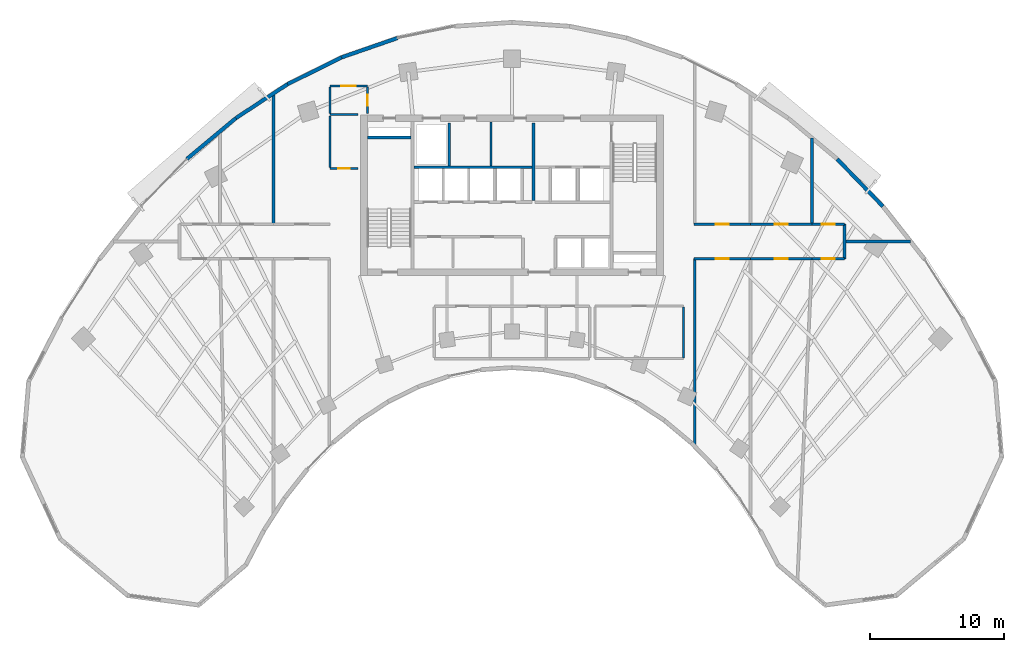
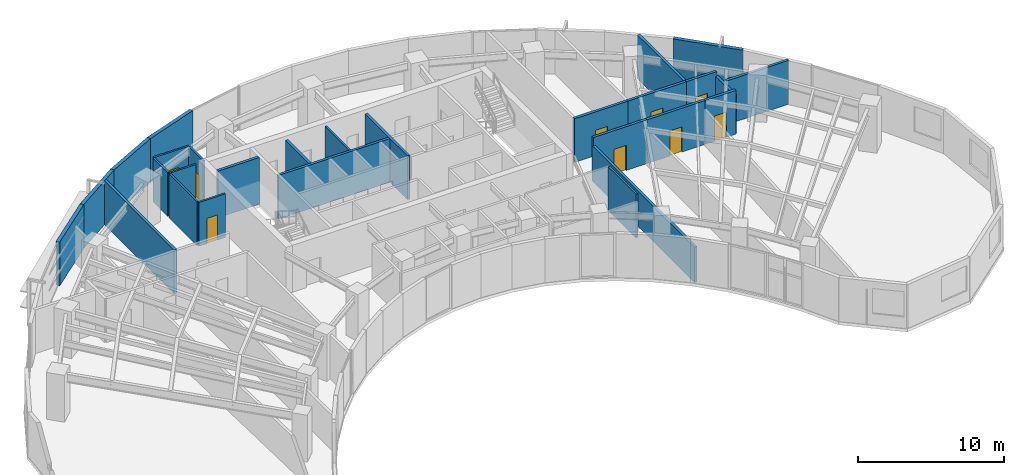
# One storey, part 10 of 14: 28 walls, 9 doors, 9 openings.
"""IFC4 building model written with IfcOpenShell, lengths in metres."""

from ifc_helpers import new_model, si_unit, direction, frame, frame_2d, origin, place, context, subcontext, project, spatial, rectangle, extrude, source, transform, mapped, material, layer, layer_set, type_object, type_shapes, element, fill, save


model = new_model("IFC4")

# Units and contexts
model_context = context("Model", 3, precision=1e-05, world=origin(), true_north=direction((0.0, 1.0)))
body_context = subcontext(model_context, "Body", "Model", "MODEL_VIEW")
ifc_project = project(units=[si_unit("LENGTHUNIT", "METRE"), si_unit("AREAUNIT", "SQUARE_METRE"), si_unit("VOLUMEUNIT", "CUBIC_METRE"), si_unit("PLANEANGLEUNIT", "RADIAN"), si_unit("MASSUNIT", "GRAM", prefix="KILO")], contexts=[model_context])

# Site, building, storey
site_placement = place(None, origin())
site = spatial("IfcSite", under=ifc_project, at=site_placement, CompositionType="ELEMENT")
building_placement = place(site_placement, origin())
building = spatial("IfcBuilding", under=site, at=building_placement, Name="Breltana Convention Tower", CompositionType="ELEMENT")
storey_placement = place(building_placement, frame((0.0, 0.0, 138.89990234375)))
storey = spatial("IfcBuildingStorey", under=building, at=storey_placement, Name="L33", CompositionType="ELEMENT", Elevation=138.89990234375)

# Walls
ifc_material_1 = material(Name="Concrete C50/60", Category="concrete")
ifc_layer_1 = layer(ifc_material_1, 0.39990234375, Name="Concrete C50/60")
ifc_layer_set_1 = layer_set([ifc_layer_1], Name="Concrete C50/60")
wall_type_1 = type_object("IfcWallType", Name="SW-CORE-400", PredefinedType="SHEAR", material=ifc_layer_set_1)
shared_shape_1 = source(origin(), body_context, "Body", "SweptSolid", [
    extrude(rectangle(XDim=3.27001953125, YDim=0.219970703125, at=frame_2d((1.635009765625, 0.0))), origin(), (0.0, 0.0, 1.0), 3.900146484375),
])
wall_1_placement = place(storey_placement, frame((37.199951171875, 70.510009765625, 0.0), z_axis=(0.0, 0.0, 1.0), x_axis=(1.0, 0.0, 0.0)))
element("IfcWall", 1, at=wall_1_placement, inside=storey, type_object=wall_type_1, Name="L33 ST-1 Stairwell North Bearing Wall", PredefinedType="SHEAR", context=body_context, shape_type="MappedRepresentation", body=[
    mapped(shared_shape_1, transform((0.0, 0.0, 0.0), scale=1.0)),
])
ifc_material_2 = material(Name="Limestone Buff Insulated Wall", Category="masonry")
ifc_layer_2 = layer(ifc_material_2, 0.280029296875, Name="Limestone Buff Insulated Wall")
ifc_layer_set_2 = layer_set([ifc_layer_2], Name="Limestone Buff Insulated Wall")
wall_type_2 = type_object("IfcWallType", Name="WL-EXT-NOSE-280", PredefinedType="SOLIDWALL", material=ifc_layer_set_2)
shared_shape_2 = source(origin(), body_context, "Body", "SweptSolid", [
    extrude(rectangle(XDim=4.908447265625, YDim=0.280029296875, at=frame_2d((2.4541015625, 0.0))), origin(), (0.0, 0.0, 1.0), 3.650146484375),
])
wall_2_placement = place(storey_placement, frame((72.275390625, 68.907470703125, 0.0), z_axis=(0.0, 0.0, 1.0), x_axis=(0.694613154328, -0.719383462302, 0.0)))
element("IfcWall", 2, at=wall_2_placement, inside=storey, type_object=wall_type_2, Name="L33 curved limestone nose wall E31", PredefinedType="SOLIDWALL", context=body_context, shape_type="MappedRepresentation", body=[
    mapped(shared_shape_2, transform((0.0, 0.0, 0.0), scale=1.0)),
])
shared_shape_3 = source(origin(), body_context, "Body", "SweptSolid", [
    extrude(rectangle(XDim=4.76220703125, YDim=0.280029296875, at=frame_2d((2.381103515625, 0.0))), origin(), (0.0, 0.0, 1.0), 3.650146484375),
])
wall_3_placement = place(storey_placement, frame((23.724609375, 68.907470703125, 0.0), z_axis=(0.0, 0.0, 1.0), x_axis=(0.767952279762, 0.640507061638, 0.0)))
element("IfcWall", 3, at=wall_3_placement, inside=storey, type_object=wall_type_2, Name="L33 curved limestone nose wall E21", PredefinedType="SOLIDWALL", context=body_context, shape_type="MappedRepresentation", body=[
    mapped(shared_shape_3, transform((0.0, 0.0, 0.0), scale=1.0)),
])
shared_shape_4 = source(origin(), body_context, "Body", "SweptSolid", [
    extrude(rectangle(XDim=4.625732421875, YDim=0.280029296875, at=frame_2d((2.31298828125, 0.0))), origin(), (0.0, 0.0, 1.0), 3.650146484375),
])
wall_4_placement = place(storey_placement, frame((27.3818359375, 71.957763671875, 0.0), z_axis=(0.0, 0.0, 1.0), x_axis=(0.83595938331, 0.548791316855, 0.0)))
element("IfcWall", 4, at=wall_4_placement, inside=storey, type_object=wall_type_2, Name="L33 curved limestone nose wall E22", PredefinedType="SOLIDWALL", context=body_context, shape_type="MappedRepresentation", body=[
    mapped(shared_shape_4, transform((0.0, 0.0, 0.0), scale=1.0)),
])
shared_shape_5 = source(origin(), body_context, "Body", "SweptSolid", [
    extrude(rectangle(XDim=4.408935546875, YDim=0.280029296875, at=frame_2d((2.20458984375, 0.0))), origin(), (0.0, 0.0, 1.0), 3.650146484375),
])
wall_5_placement = place(storey_placement, frame((35.28564453125, 76.497314453125, 0.0), z_axis=(0.0, 0.0, 1.0), x_axis=(0.944879374121, 0.327418643881, 0.0)))
element("IfcWall", 5, at=wall_5_placement, inside=storey, type_object=wall_type_2, Name="L33 curved limestone nose wall E24", PredefinedType="SOLIDWALL", context=body_context, shape_type="MappedRepresentation", body=[
    mapped(shared_shape_5, transform((0.0, 0.0, 0.0), scale=1.0)),
])
shared_shape_6 = source(origin(), body_context, "Body", "SweptSolid", [
    extrude(rectangle(XDim=4.505615234375, YDim=0.280029296875, at=frame_2d((2.2529296875, 0.0))), origin(), (0.0, 0.0, 1.0), 3.650146484375),
])
wall_6_placement = place(storey_placement, frame((31.248779296875, 74.496337890625, 0.0), z_axis=(0.0, 0.0, 1.0), x_axis=(0.89597155075, 0.444111450254, 0.0)))
element("IfcWall", 6, at=wall_6_placement, inside=storey, type_object=wall_type_2, Name="L33 curved limestone nose wall E23", PredefinedType="SOLIDWALL", context=body_context, shape_type="MappedRepresentation", body=[
    mapped(shared_shape_6, transform((0.0, 0.0, 0.0), scale=1.0)),
])
ifc_material_3 = material(Name="Autoclaved Aerated Concrete Block", Category="concrete")
ifc_layer_3 = layer(ifc_material_3, 0.199951171875, Name="Autoclaved Aerated Concrete Block")
ifc_layer_set_3 = layer_set([ifc_layer_3], Name="Autoclaved Aerated Concrete Block")
wall_type_3 = type_object("IfcWallType", Name="WL-SHAFT-200", PredefinedType="SOLIDWALL", material=ifc_layer_set_3)
shared_shape_7 = source(origin(), body_context, "Body", "SweptSolid", [
    extrude(rectangle(XDim=5.800048828125, YDim=0.199951171875, at=frame_2d((2.89990234375, 0.0))), origin(), (0.0, 0.0, 1.0), 3.650146484375),
])
wall_7_placement = place(storey_placement, frame((49.60009765625, 65.800048828125, 0.0), z_axis=(0.0, 0.0, 1.0), x_axis=(0.0, 1.0, 0.0)))
element("IfcWall", 7, at=wall_7_placement, inside=storey, type_object=wall_type_3, Name="L33 interior partition W-L33-FFL-W", PredefinedType="SOLIDWALL", context=body_context, shape_type="MappedRepresentation", body=[
    mapped(shared_shape_7, transform((0.0, 0.0, 0.0), scale=1.0)),
])
shared_shape_8 = source(origin(), body_context, "Body", "SweptSolid", [
    extrude(rectangle(XDim=3.2001953125, YDim=0.199951171875, at=frame_2d((1.60009765625, 0.0))), origin(), (0.0, 0.0, 1.0), 3.650146484375),
])
wall_8_placement = place(storey_placement, frame((43.320068359375, 68.39990234375, 0.0), z_axis=(0.0, 0.0, 1.0), x_axis=(0.0, 1.0, 0.0)))
element("IfcWall", 8, at=wall_8_placement, inside=storey, type_object=wall_type_3, Name="L33 interior partition W-L33-SV-E", PredefinedType="SOLIDWALL", context=body_context, shape_type="MappedRepresentation", body=[
    mapped(shared_shape_8, transform((0.0, 0.0, 0.0), scale=1.0)),
])
shared_shape_9 = source(origin(), body_context, "Body", "SweptSolid", [
    extrude(rectangle(XDim=8.800048828125, YDim=0.199951171875, at=frame_2d((4.39990234375, 0.0))), origin(), (0.0, 0.0, 1.0), 3.650146484375),
])
wall_9_placement = place(storey_placement, frame((40.699951171875, 68.300048828125, 0.0), z_axis=(0.0, 0.0, 1.0), x_axis=(1.0, 0.0, 0.0)))
element("IfcWall", 9, at=wall_9_placement, inside=storey, type_object=wall_type_3, Name="L33 interior partition W-L33-SV-S", PredefinedType="SOLIDWALL", context=body_context, shape_type="MappedRepresentation", body=[
    mapped(shared_shape_9, transform((0.0, 0.0, 0.0), scale=1.0)),
])
ifc_material_4 = material(Name="Gypsum Acoustic Drywall Partition")
ifc_layer_4 = layer(ifc_material_4, 0.14990234375, Name="Gypsum Acoustic Drywall Partition")
ifc_layer_set_4 = layer_set([ifc_layer_4], Name="Gypsum Acoustic Drywall Partition")
wall_type_4 = type_object("IfcWallType", Name="WL-PART-150", PredefinedType="PARTITIONING", material=ifc_layer_set_4)
shared_shape_10 = source(origin(), body_context, "Body", "SweptSolid", [
    extrude(rectangle(XDim=3.78515625, YDim=0.14990234375, at=frame_2d((1.892578125, 0.0))), origin(), (0.0, 0.0, 1.0), 3.650146484375),
])
wall_10_placement = place(storey_placement, frame((60.800048828125, 54.0673828125, 0.0), z_axis=(0.0, 0.0, 1.0), x_axis=(0.0, 1.0, 0.0)))
element("IfcWall", 10, at=wall_10_placement, inside=storey, type_object=wall_type_4, Name="L33 interior partition W-L33-PNT-E", PredefinedType="PARTITIONING", context=body_context, shape_type="MappedRepresentation", body=[
    mapped(shared_shape_10, transform((0.0, 0.0, 0.0), scale=1.0)),
])
shared_shape_11 = source(origin(), body_context, "Body", "SweptSolid", [
    extrude(rectangle(XDim=3.280029296875, YDim=0.14990234375, at=frame_2d((1.64013671875, 0.0))), origin(), (0.0, 0.0, 1.0), 3.650146484375),
])
wall_11_placement = place(storey_placement, frame((46.449951171875, 68.39990234375, 0.0), z_axis=(0.0, 0.0, 1.0), x_axis=(0.0, 1.0, 0.0)))
element("IfcWall", 11, at=wall_11_placement, inside=storey, type_object=wall_type_4, Name="L33 interior partition W-L33-KV-1", PredefinedType="PARTITIONING", context=body_context, shape_type="MappedRepresentation", body=[
    mapped(shared_shape_11, transform((0.0, 0.0, 0.0), scale=1.0)),
])
shared_shape_12 = source(origin(), body_context, "Body", "SweptSolid", [
    extrude(rectangle(XDim=2.10009765625, YDim=0.14990234375, at=frame_2d((1.050048828125, 0.0))), origin(), (0.0, 0.0, 1.0), 3.650146484375),
])
wall_12_placement = place(storey_placement, frame((34.39990234375, 72.219970703125, 0.0), z_axis=(0.0, 0.0, 1.0), x_axis=(1.0, 0.0, 0.0)))
element("IfcWall", 12, at=wall_12_placement, inside=storey, type_object=wall_type_4, Name="L33 interior partition W-L33-CRNW-S", PredefinedType="PARTITIONING", context=body_context, shape_type="MappedRepresentation", body=[
    mapped(shared_shape_12, transform((0.0, 0.0, 0.0), scale=1.0)),
])

# Wall, opening, door
wall_13_placement = place(storey_placement, frame((34.39990234375, 68.199951171875, 0.0), z_axis=(0.0, 0.0, 1.0), x_axis=(1.0, 0.0, 0.0)))
wall_13 = element("IfcWall", 13, at=wall_13_placement, inside=storey, type_object=wall_type_4, Name="L33 interior partition W-L33-CRSW-S", PredefinedType="PARTITIONING", context=body_context, shape_type="MappedRepresentation", body=[
    mapped(shared_shape_12, transform((0.0, 0.0, 0.0), scale=1.0)),
])
opening_1_placement = place(wall_13_placement, frame((0.625, 0.0, 0.0)))
opening_1 = element("IfcOpeningElement", 14, at=opening_1_placement, cuts=wall_13, Name="Opening D-20", PredefinedType="OPENING", context=body_context, shape_type="SweptSolid", body=[
    extrude(rectangle(XDim=0.85009765625, YDim=2.10009765625, at=frame_2d((0.425048828125, 1.050048828125))), frame((0.0, 0.0849609375, 0.0), z_axis=(0.0, -1.0, 0.0), x_axis=(1.0, 0.0, 0.0)), (0.0, 0.0, 1.0), 0.169921875),
])
ifc_material_5 = material(Name="Steel Closet Fire Door", Category="steel")
door_type_1 = type_object("IfcDoorType", Name="DR-FD60-850", OperationType="NOTDEFINED", PredefinedType="DOOR", material=ifc_material_5)
shared_shape_13 = source(origin(), body_context, "Body", "SweptSolid", [
    extrude(rectangle(XDim=0.85009765625, YDim=2.10009765625, at=frame_2d((0.425048828125, 1.050048828125))), frame((0.0, 0.02490234375, 0.0), z_axis=(0.0, -1.0, 0.0), x_axis=(1.0, 0.0, 0.0)), (0.0, 0.0, 1.0), 0.050048828125),
])
type_shapes(door_type_1, [shared_shape_13])
door_1_placement = place(opening_1_placement, origin())
door_1 = element("IfcDoor", 15, at=door_1_placement, inside=storey, type_object=door_type_1, Name="L33 interior door D-L33-CRSW", OperationType="SINGLE_SWING_RIGHT", OverallHeight=2.10009765625, OverallWidth=0.85009765625, PredefinedType="DOOR", context=body_context, shape_type="MappedRepresentation", body=[
    mapped(shared_shape_13, transform((0.0, 0.0, 0.0), scale=1.0)),
])
fill(opening_1, door_1)

shared_shape_14 = source(origin(), body_context, "Body", "SweptSolid", [
    extrude(rectangle(XDim=2.800048828125, YDim=0.14990234375, at=frame_2d((1.39990234375, 0.0))), origin(), (0.0, 0.0, 1.0), 3.650146484375),
])
wall_14_placement = place(storey_placement, frame((34.39990234375, 74.35009765625, 0.0), z_axis=(0.0, 0.0, 1.0), x_axis=(1.0, 0.0, 0.0)))
wall_14 = element("IfcWall", 16, at=wall_14_placement, inside=storey, type_object=wall_type_4, Name="L33 interior partition W-L33-CRNW-N", PredefinedType="PARTITIONING", context=body_context, shape_type="MappedRepresentation", body=[
    mapped(shared_shape_14, transform((0.0, 0.0, 0.0), scale=1.0)),
])
opening_2_placement = place(wall_14_placement, frame((0.85009765625, 0.0, 0.0)))
opening_2 = element("IfcOpeningElement", 17, at=opening_2_placement, cuts=wall_14, Name="Opening D-12", PredefinedType="OPENING", context=body_context, shape_type="SweptSolid", body=[
    extrude(rectangle(XDim=1.10009765625, YDim=2.14990234375, at=frame_2d((0.550048828125, 1.074951171875))), frame((0.0, 0.0849609375, 0.0), z_axis=(0.0, -1.0, 0.0), x_axis=(1.0, 0.0, 0.0)), (0.0, 0.0, 1.0), 0.169921875),
])
ifc_material_6 = material(Name="Timber Oak Acoustic Door", Category="wood")
door_type_2 = type_object("IfcDoorType", Name="DR-INT-1100", OperationType="NOTDEFINED", PredefinedType="DOOR", material=ifc_material_6)
shared_shape_15 = source(origin(), body_context, "Body", "SweptSolid", [
    extrude(rectangle(XDim=1.10009765625, YDim=2.14990234375, at=frame_2d((0.550048828125, 1.074951171875))), frame((0.0, 0.02490234375, 0.0), z_axis=(0.0, -1.0, 0.0), x_axis=(1.0, 0.0, 0.0)), (0.0, 0.0, 1.0), 0.050048828125),
])
type_shapes(door_type_2, [shared_shape_15])
door_2_placement = place(opening_2_placement, origin())
door_2 = element("IfcDoor", 18, at=door_2_placement, inside=storey, type_object=door_type_2, Name="L33 interior door D-L33-ZN1", OperationType="SINGLE_SWING_LEFT", OverallHeight=2.14990234375, OverallWidth=1.10009765625, PredefinedType="DOOR", context=body_context, shape_type="MappedRepresentation", body=[
    mapped(shared_shape_15, transform((0.0, 0.0, 0.0), scale=1.0)),
])
fill(opening_2, door_2)

# Wall
shared_shape_16 = source(origin(), body_context, "Body", "SweptSolid", [
    extrude(rectangle(XDim=1.994873046875, YDim=0.14990234375, at=frame_2d((0.99755859375, 0.0))), origin(), (0.0, 0.0, 1.0), 3.650146484375),
])
wall_15_placement = place(storey_placement, frame((34.39990234375, 72.28759765625, 0.0), z_axis=(0.0, 0.0, 1.0), x_axis=(0.0, 1.0, 0.0)))
element("IfcWall", 19, at=wall_15_placement, inside=storey, type_object=wall_type_4, Name="L33 interior partition W-L33-CRNW-W", PredefinedType="PARTITIONING", context=body_context, shape_type="MappedRepresentation", body=[
    mapped(shared_shape_16, transform((0.0, 0.0, 0.0), scale=1.0)),
])

# Wall, opening, door
shared_shape_17 = source(origin(), body_context, "Body", "SweptSolid", [
    extrude(rectangle(XDim=1.982421875, YDim=0.14990234375, at=frame_2d((0.9912109375, 0.0))), origin(), (0.0, 0.0, 1.0), 3.650146484375),
])
wall_16_placement = place(storey_placement, frame((37.199951171875, 72.300048828125, 0.0), z_axis=(0.0, 0.0, 1.0), x_axis=(0.0, 1.0, 0.0)))
wall_16 = element("IfcWall", 20, at=wall_16_placement, inside=storey, type_object=wall_type_4, Name="L33 interior partition W-L33-CRNW-E", PredefinedType="PARTITIONING", context=body_context, shape_type="MappedRepresentation", body=[
    mapped(shared_shape_17, transform((0.0, 0.0, 0.0), scale=1.0)),
])
opening_3_placement = place(wall_16_placement, frame((0.56640625, 0.0, 0.0)))
opening_3 = element("IfcOpeningElement", 21, at=opening_3_placement, cuts=wall_16, Name="Opening D-20", PredefinedType="OPENING", context=body_context, shape_type="SweptSolid", body=[
    extrude(rectangle(XDim=0.85009765625, YDim=2.10009765625, at=frame_2d((0.425048828125, 1.050048828125))), frame((0.0, 0.0849609375, 0.0), z_axis=(0.0, -1.0, 0.0), x_axis=(1.0, 0.0, 0.0)), (0.0, 0.0, 1.0), 0.169921875),
])
door_3_placement = place(opening_3_placement, origin())
door_3 = element("IfcDoor", 22, at=door_3_placement, inside=storey, type_object=door_type_1, Name="L33 interior door D-L33-CRNW", OperationType="SINGLE_SWING_LEFT", OverallHeight=2.10009765625, OverallWidth=0.85009765625, PredefinedType="DOOR", context=body_context, shape_type="MappedRepresentation", body=[
    mapped(shared_shape_13, transform((0.0, 0.0, 0.0), scale=1.0)),
])
fill(opening_3, door_3)

# Walls
shared_shape_18 = source(origin(), body_context, "Body", "SweptSolid", [
    extrude(rectangle(XDim=3.844970703125, YDim=0.14990234375, at=frame_2d((1.92236328125, 0.0))), origin(), (0.0, 0.0, 1.0), 3.650146484375),
])
wall_17_placement = place(storey_placement, frame((34.39990234375, 68.267578125, 0.0), z_axis=(0.0, 0.0, 1.0), x_axis=(0.0, 1.0, 0.0)))
element("IfcWall", 23, at=wall_17_placement, inside=storey, type_object=wall_type_4, Name="L33 interior partition W-L33-CRSW-W", PredefinedType="PARTITIONING", context=body_context, shape_type="MappedRepresentation", body=[
    mapped(shared_shape_18, transform((0.0, 0.0, 0.0), scale=1.0)),
])
ifc_material_7 = material(Name="Autoclaved Aerated Masonry Blockwork", Category="masonry")
ifc_layer_5 = layer(ifc_material_7, 0.2099609375, Name="Autoclaved Aerated Masonry Blockwork")
ifc_layer_set_5 = layer_set([ifc_layer_5], Name="Autoclaved Aerated Masonry Blockwork")
wall_type_5 = type_object("IfcWallType", Name="WL-PART-200", PredefinedType="PARTITIONING", material=ifc_layer_set_5)
shared_shape_19 = source(origin(), body_context, "Body", "SweptSolid", [
    extrude(rectangle(XDim=2.6201171875, YDim=0.2099609375, at=frame_2d((1.31005859375, 0.0))), origin(), (0.0, 0.0, 1.0), 3.280029296875),
])
wall_18_placement = place(storey_placement, frame((72.820068359375, 61.43994140625, 0.0), z_axis=(0.0, 0.0, 1.0), x_axis=(0.0, 1.0, 0.0)))
element("IfcWall", 24, at=wall_18_placement, inside=storey, type_object=wall_type_5, Name="L33 interior partition W-L33-ZFE-CAP", PredefinedType="PARTITIONING", context=body_context, shape_type="MappedRepresentation", body=[
    mapped(shared_shape_19, transform((0.0, 0.0, 0.0), scale=1.0)),
])
shared_shape_20 = source(origin(), body_context, "Body", "SweptSolid", [
    extrude(rectangle(XDim=9.73583984375, YDim=0.2099609375, at=frame_2d((4.867919921875, 0.0))), origin(), (0.0, 0.0, 1.0), 3.650146484375),
])
wall_19_placement = place(storey_placement, frame((30.199951171875, 64.06005859375, 0.0), z_axis=(0.0, 0.0, 1.0), x_axis=(0.0, 1.0, 0.0)))
element("IfcWall", 25, at=wall_19_placement, inside=storey, type_object=wall_type_5, Name="L33 interior partition W-L33-ZWN2-E", PredefinedType="PARTITIONING", context=body_context, shape_type="MappedRepresentation", body=[
    mapped(shared_shape_20, transform((0.0, 0.0, 0.0), scale=1.0)),
])

# Wall, opening, door
shared_shape_21 = source(origin(), body_context, "Body", "SweptSolid", [
    extrude(rectangle(XDim=4.199951171875, YDim=0.2099609375, at=frame_2d((2.10009765625, 0.0))), origin(), (0.0, 0.0, 1.0), 3.650146484375),
])
wall_20_placement = place(storey_placement, frame((61.60009765625, 64.0400390625, 0.0), z_axis=(0.0, 0.0, 1.0), x_axis=(1.0, 0.0, 0.0)))
wall_20 = element("IfcWall", 26, at=wall_20_placement, inside=storey, type_object=wall_type_5, Name="L33 interior partition W-L33-ZEN1-D", PredefinedType="PARTITIONING", context=body_context, shape_type="MappedRepresentation", body=[
    mapped(shared_shape_21, transform((0.0, 0.0, 0.0), scale=1.0)),
])
opening_4_placement = place(wall_20_placement, frame((1.625, 0.0, 0.0)))
opening_4 = element("IfcOpeningElement", 27, at=opening_4_placement, cuts=wall_20, Name="Opening D-17", PredefinedType="OPENING", context=body_context, shape_type="SweptSolid", body=[
    extrude(rectangle(XDim=0.949951171875, YDim=2.10009765625, at=frame_2d((0.47509765625, 1.050048828125))), frame((0.0, 0.114990234375, 0.0), z_axis=(0.0, -1.0, 0.0), x_axis=(1.0, 0.0, 0.0)), (0.0, 0.0, 1.0), 0.22998046875),
])
ifc_material_8 = material(Name="Timber Oak Veneer Door", Category="wood")
door_type_3 = type_object("IfcDoorType", Name="DR-INT-950", OperationType="NOTDEFINED", PredefinedType="DOOR", material=ifc_material_8)
shared_shape_22 = source(origin(), body_context, "Body", "SweptSolid", [
    extrude(rectangle(XDim=0.949951171875, YDim=2.10009765625, at=frame_2d((0.47509765625, 1.050048828125))), frame((0.0, 0.02490234375, 0.0), z_axis=(0.0, -1.0, 0.0), x_axis=(1.0, 0.0, 0.0)), (0.0, 0.0, 1.0), 0.050048828125),
])
type_shapes(door_type_3, [shared_shape_22])
door_4_placement = place(opening_4_placement, origin())
door_4 = element("IfcDoor", 28, at=door_4_placement, inside=storey, type_object=door_type_3, Name="L33 interior door D-L33-ZEN1", OperationType="SINGLE_SWING_RIGHT", OverallHeight=2.10009765625, OverallWidth=0.949951171875, PredefinedType="DOOR", context=body_context, shape_type="MappedRepresentation", body=[
    mapped(shared_shape_22, transform((0.0, 0.0, 0.0), scale=1.0)),
])
fill(opening_4, door_4)

wall_21_placement = place(storey_placement, frame((61.60009765625, 61.4599609375, 0.0), z_axis=(0.0, 0.0, 1.0), x_axis=(1.0, 0.0, 0.0)))
wall_21 = element("IfcWall", 29, at=wall_21_placement, inside=storey, type_object=wall_type_5, Name="L33 interior partition W-L33-ZES1-D", PredefinedType="PARTITIONING", context=body_context, shape_type="MappedRepresentation", body=[
    mapped(shared_shape_21, transform((0.0, 0.0, 0.0), scale=1.0)),
])
opening_5_placement = place(wall_21_placement, frame((1.625, 0.0, 0.0)))
opening_5 = element("IfcOpeningElement", 30, at=opening_5_placement, cuts=wall_21, Name="Opening D-17", PredefinedType="OPENING", context=body_context, shape_type="SweptSolid", body=[
    extrude(rectangle(XDim=0.949951171875, YDim=2.10009765625, at=frame_2d((0.47509765625, 1.050048828125))), frame((0.0, 0.114990234375, 0.0), z_axis=(0.0, -1.0, 0.0), x_axis=(1.0, 0.0, 0.0)), (0.0, 0.0, 1.0), 0.22998046875),
])
door_5_placement = place(opening_5_placement, origin())
door_5 = element("IfcDoor", 31, at=door_5_placement, inside=storey, type_object=door_type_3, Name="L33 interior door D-L33-ZES1", OperationType="SINGLE_SWING_LEFT", OverallHeight=2.10009765625, OverallWidth=0.949951171875, PredefinedType="DOOR", context=body_context, shape_type="MappedRepresentation", body=[
    mapped(shared_shape_22, transform((0.0, 0.0, 0.0), scale=1.0)),
])
fill(opening_5, door_5)

shared_shape_23 = source(origin(), body_context, "Body", "SweptSolid", [
    extrude(rectangle(XDim=4.599853515625, YDim=0.2099609375, at=frame_2d((2.2998046875, 0.0))), origin(), (0.0, 0.0, 1.0), 3.650146484375),
])
wall_22_placement = place(storey_placement, frame((65.800048828125, 64.0400390625, 0.0), z_axis=(0.0, 0.0, 1.0), x_axis=(1.0, 0.0, 0.0)))
wall_22 = element("IfcWall", 32, at=wall_22_placement, inside=storey, type_object=wall_type_5, Name="L33 interior partition W-L33-ZEN2-D", PredefinedType="PARTITIONING", context=body_context, shape_type="MappedRepresentation", body=[
    mapped(shared_shape_23, transform((0.0, 0.0, 0.0), scale=1.0)),
])
opening_6_placement = place(wall_22_placement, frame((1.824951171875, 0.0, 0.0)))
opening_6 = element("IfcOpeningElement", 33, at=opening_6_placement, cuts=wall_22, Name="Opening D-17", PredefinedType="OPENING", context=body_context, shape_type="SweptSolid", body=[
    extrude(rectangle(XDim=0.949951171875, YDim=2.10009765625, at=frame_2d((0.47509765625, 1.050048828125))), frame((0.0, 0.114990234375, 0.0), z_axis=(0.0, -1.0, 0.0), x_axis=(1.0, 0.0, 0.0)), (0.0, 0.0, 1.0), 0.22998046875),
])
door_6_placement = place(opening_6_placement, origin())
door_6 = element("IfcDoor", 34, at=door_6_placement, inside=storey, type_object=door_type_3, Name="L33 interior door D-L33-ZEN2", OperationType="SINGLE_SWING_LEFT", OverallHeight=2.10009765625, OverallWidth=0.949951171875, PredefinedType="DOOR", context=body_context, shape_type="MappedRepresentation", body=[
    mapped(shared_shape_22, transform((0.0, 0.0, 0.0), scale=1.0)),
])
fill(opening_6, door_6)

wall_23_placement = place(storey_placement, frame((65.800048828125, 61.4599609375, 0.0), z_axis=(0.0, 0.0, 1.0), x_axis=(1.0, 0.0, 0.0)))
wall_23 = element("IfcWall", 35, at=wall_23_placement, inside=storey, type_object=wall_type_5, Name="L33 interior partition W-L33-ZES2-D", PredefinedType="PARTITIONING", context=body_context, shape_type="MappedRepresentation", body=[
    mapped(shared_shape_23, transform((0.0, 0.0, 0.0), scale=1.0)),
])
opening_7_placement = place(wall_23_placement, frame((1.824951171875, 0.0, 0.0)))
opening_7 = element("IfcOpeningElement", 36, at=opening_7_placement, cuts=wall_23, Name="Opening D-17", PredefinedType="OPENING", context=body_context, shape_type="SweptSolid", body=[
    extrude(rectangle(XDim=0.949951171875, YDim=2.10009765625, at=frame_2d((0.47509765625, 1.050048828125))), frame((0.0, 0.114990234375, 0.0), z_axis=(0.0, -1.0, 0.0), x_axis=(1.0, 0.0, 0.0)), (0.0, 0.0, 1.0), 0.22998046875),
])
door_7_placement = place(opening_7_placement, origin())
door_7 = element("IfcDoor", 37, at=door_7_placement, inside=storey, type_object=door_type_3, Name="L33 interior door D-L33-ZES2", OperationType="SINGLE_SWING_RIGHT", OverallHeight=2.10009765625, OverallWidth=0.949951171875, PredefinedType="DOOR", context=body_context, shape_type="MappedRepresentation", body=[
    mapped(shared_shape_22, transform((0.0, 0.0, 0.0), scale=1.0)),
])
fill(opening_7, door_7)

# Wall
shared_shape_24 = source(origin(), body_context, "Body", "SweptSolid", [
    extrude(rectangle(XDim=6.3984375, YDim=0.2099609375, at=frame_2d((3.19921875, 0.0))), origin(), (0.0, 0.0, 1.0), 3.650146484375),
])
wall_24_placement = place(storey_placement, frame((70.39990234375, 64.06005859375, 0.0), z_axis=(0.0, 0.0, 1.0), x_axis=(0.0, 1.0, 0.0)))
element("IfcWall", 38, at=wall_24_placement, inside=storey, type_object=wall_type_5, Name="L33 interior partition W-L33-ZEN2-E", PredefinedType="PARTITIONING", context=body_context, shape_type="MappedRepresentation", body=[
    mapped(shared_shape_24, transform((0.0, 0.0, 0.0), scale=1.0)),
])

# Wall, opening, door
shared_shape_25 = source(origin(), body_context, "Body", "SweptSolid", [
    extrude(rectangle(XDim=2.420166015625, YDim=0.2099609375, at=frame_2d((1.2099609375, 0.0))), origin(), (0.0, 0.0, 1.0), 3.650146484375),
])
wall_25_placement = place(storey_placement, frame((70.39990234375, 64.0400390625, 0.0), z_axis=(0.0, 0.0, 1.0), x_axis=(1.0, 0.0, 0.0)))
wall_25 = element("IfcWall", 39, at=wall_25_placement, inside=storey, type_object=wall_type_5, Name="L33 interior partition W-L33-ZEN3-D", PredefinedType="PARTITIONING", context=body_context, shape_type="MappedRepresentation", body=[
    mapped(shared_shape_25, transform((0.0, 0.0, 0.0), scale=1.0)),
])
opening_8_placement = place(wall_25_placement, frame((0.735107421875, 0.0, 0.0)))
opening_8 = element("IfcOpeningElement", 40, at=opening_8_placement, cuts=wall_25, Name="Opening D-17", PredefinedType="OPENING", context=body_context, shape_type="SweptSolid", body=[
    extrude(rectangle(XDim=0.949951171875, YDim=2.10009765625, at=frame_2d((0.47509765625, 1.050048828125))), frame((0.0, 0.114990234375, 0.0), z_axis=(0.0, -1.0, 0.0), x_axis=(1.0, 0.0, 0.0)), (0.0, 0.0, 1.0), 0.22998046875),
])
door_8_placement = place(opening_8_placement, origin())
door_8 = element("IfcDoor", 41, at=door_8_placement, inside=storey, type_object=door_type_3, Name="L33 interior door D-L33-ZEN3", OperationType="SINGLE_SWING_RIGHT", OverallHeight=2.10009765625, OverallWidth=0.949951171875, PredefinedType="DOOR", context=body_context, shape_type="MappedRepresentation", body=[
    mapped(shared_shape_22, transform((0.0, 0.0, 0.0), scale=1.0)),
])
fill(opening_8, door_8)

wall_26_placement = place(storey_placement, frame((70.39990234375, 61.4599609375, 0.0), z_axis=(0.0, 0.0, 1.0), x_axis=(1.0, 0.0, 0.0)))
wall_26 = element("IfcWall", 42, at=wall_26_placement, inside=storey, type_object=wall_type_5, Name="L33 interior partition W-L33-ZES3-D", PredefinedType="PARTITIONING", context=body_context, shape_type="MappedRepresentation", body=[
    mapped(shared_shape_25, transform((0.0, 0.0, 0.0), scale=1.0)),
])
opening_9_placement = place(wall_26_placement, frame((0.735107421875, 0.0, 0.0)))
opening_9 = element("IfcOpeningElement", 43, at=opening_9_placement, cuts=wall_26, Name="Opening D-17", PredefinedType="OPENING", context=body_context, shape_type="SweptSolid", body=[
    extrude(rectangle(XDim=0.949951171875, YDim=2.10009765625, at=frame_2d((0.47509765625, 1.050048828125))), frame((0.0, 0.114990234375, 0.0), z_axis=(0.0, -1.0, 0.0), x_axis=(1.0, 0.0, 0.0)), (0.0, 0.0, 1.0), 0.22998046875),
])
door_9_placement = place(opening_9_placement, origin())
door_9 = element("IfcDoor", 44, at=door_9_placement, inside=storey, type_object=door_type_3, Name="L33 interior door D-L33-ZES3", OperationType="SINGLE_SWING_LEFT", OverallHeight=2.10009765625, OverallWidth=0.949951171875, PredefinedType="DOOR", context=body_context, shape_type="MappedRepresentation", body=[
    mapped(shared_shape_22, transform((0.0, 0.0, 0.0), scale=1.0)),
])
fill(opening_9, door_9)

# Walls
shared_shape_26 = source(origin(), body_context, "Body", "SweptSolid", [
    extrude(rectangle(XDim=13.987548828125, YDim=0.2099609375, at=frame_2d((6.99365234375, 0.0))), origin(), (0.0, 0.0, 1.0), 2.942138671875),
])
wall_27_placement = place(storey_placement, frame((61.639892578125, 47.472412109375, 0.0), z_axis=(0.0, 0.0, 1.0), x_axis=(0.0, 1.0, 0.0)))
element("IfcWall", 45, at=wall_27_placement, inside=storey, type_object=wall_type_5, Name="L33 interior partition W-L33-ZODD-EC", PredefinedType="PARTITIONING", context=body_context, shape_type="MappedRepresentation", body=[
    mapped(shared_shape_26, transform((0.0, 0.0, 0.0), scale=1.0)),
])
shared_shape_27 = source(origin(), body_context, "Body", "SweptSolid", [
    extrude(rectangle(XDim=4.91748046875, YDim=0.2099609375, at=frame_2d((2.458740234375, 0.0))), origin(), (0.0, 0.0, 1.0), 3.650146484375),
])
wall_28_placement = place(storey_placement, frame((72.820068359375, 62.75, 0.0), z_axis=(0.0, 0.0, 1.0), x_axis=(1.0, 0.0, 0.0)))
element("IfcWall", 46, at=wall_28_placement, inside=storey, type_object=wall_type_5, Name="L33 interior partition W-L33-ZFE-EXT", PredefinedType="PARTITIONING", context=body_context, shape_type="MappedRepresentation", body=[
    mapped(shared_shape_27, transform((0.0, 0.0, 0.0), scale=1.0)),
])

save(model, "model.ifc")
